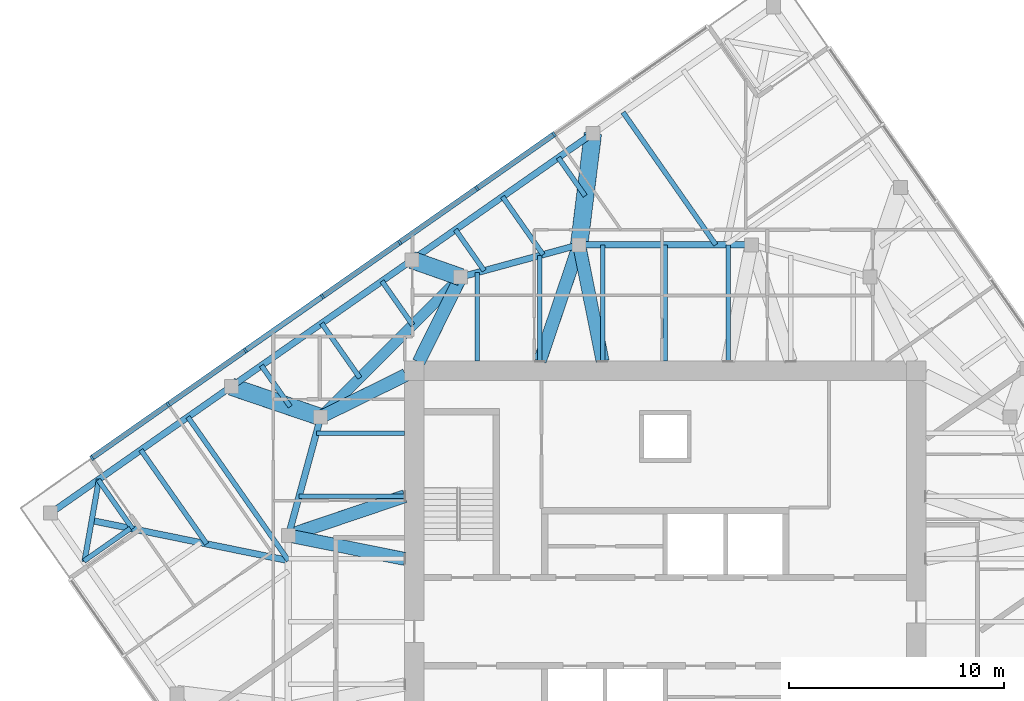
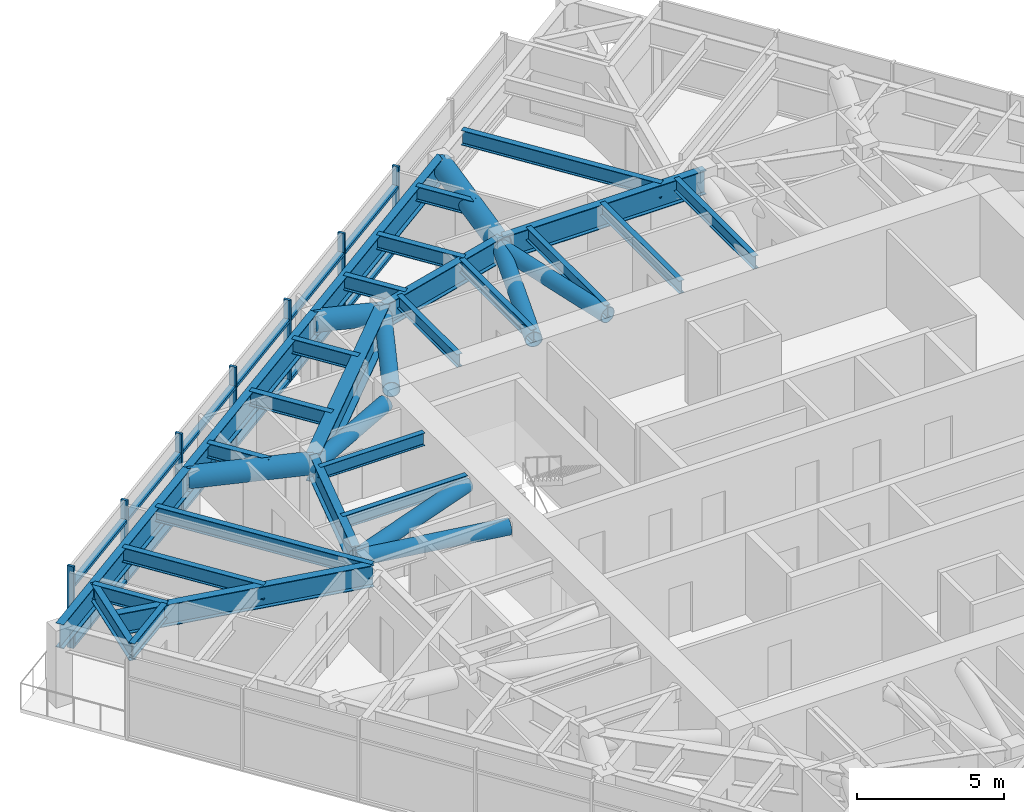
# One storey, part 5 of 15: 28 members, 27 beams, 1 element without a shape of its own.
"""IFC4 building model written with IfcOpenShell, lengths in metres."""

from ifc_helpers import new_model, si_unit, direction, frame, origin, origin_2d, place, context, subcontext, project, spatial, rectangle, hollow_circle, i_section, extrude, material, material_profile, profile_set, type_object, element, aggregate, save


model = new_model("IFC4")

# Units and contexts
model_context = context("Model", 3, precision=1e-05, world=origin(), true_north=direction((0.0, 1.0)))
body_context = subcontext(model_context, "Body", "Model", "MODEL_VIEW")
ifc_project = project(units=[si_unit("LENGTHUNIT", "METRE"), si_unit("AREAUNIT", "SQUARE_METRE"), si_unit("VOLUMEUNIT", "CUBIC_METRE"), si_unit("PLANEANGLEUNIT", "RADIAN"), si_unit("MASSUNIT", "GRAM", prefix="KILO")], contexts=[model_context])

# Site, building, storey
site_placement = place(None, origin())
site = spatial("IfcSite", under=ifc_project, at=site_placement, CompositionType="ELEMENT")
building_placement = place(site_placement, origin())
building = spatial("IfcBuilding", under=site, at=building_placement, Name="Torsade Residences", CompositionType="ELEMENT")
storey_placement = place(building_placement, frame((0.0, 0.0, 264.199951171875)))
storey = spatial("IfcBuildingStorey", under=building, at=storey_placement, Name="L73", CompositionType="ELEMENT", Elevation=264.199951171875)

# Beams
ifc_material_1 = material(Name="Steel grade 300", Category="steel")
ifc_material_profile_1 = material_profile(ifc_material_1, i_section(OverallWidth=0.300048828125, OverallDepth=0.89990234375, WebThickness=0.011962890625, FlangeThickness=0.02490234375, at=origin_2d()), Name="900WB175")
ifc_profile_set_1 = profile_set([ifc_material_profile_1], Name="Steel grade 300")
beam_type_1 = type_object("IfcBeamType", Name="CORNER GIRDER 900WB175", PredefinedType="BEAM", material=ifc_profile_set_1)
beam_1_placement = place(storey_placement, frame((13.364013671875, 34.696533203125, 2.75), z_axis=(0.979880626756, -0.199584461589, 0.0), x_axis=(0.199584461589, 0.979880626756, 0.0)))
element("IfcBeam", 1, at=beam_1_placement, inside=storey, type_object=beam_type_1, Name="Corner girder 13 L74", PredefinedType="BEAM", context=body_context, shape_type="SweptSolid", body=[
    extrude(i_section(OverallWidth=0.300048828125, OverallDepth=0.89990234375, WebThickness=0.011962890625, FlangeThickness=0.02490234375, at=origin_2d()), origin(), (0.0, 0.0, 1.0), 9.323486328125),
])
ifc_material_2 = material(Name="Steel grade 300", Category="steel")
ifc_material_profile_2 = material_profile(ifc_material_2, i_section(OverallWidth=0.25, OverallDepth=0.699951171875, WebThickness=0.010009765625, FlangeThickness=0.02001953125, at=origin_2d()), Name="700WB130")
ifc_profile_set_2 = profile_set([ifc_material_profile_2], Name="Steel grade 300")
beam_type_2 = type_object("IfcBeamType", Name="CORNER TRIMMER 700WB130", PredefinedType="BEAM", material=ifc_profile_set_2)
beam_2_placement = place(storey_placement, frame((13.0263671875, 32.78173828125, 2.85009765625), z_axis=(0.173645660267, 0.984808196894, 0.0), x_axis=(-0.984808196894, 0.173645660267, 0.0)))
element("IfcBeam", 2, at=beam_2_placement, inside=storey, type_object=beam_type_2, Name="Corner trimmer 13 L74", PredefinedType="BEAM", context=body_context, shape_type="SweptSolid", body=[
    extrude(i_section(OverallWidth=0.25, OverallDepth=0.699951171875, WebThickness=0.010009765625, FlangeThickness=0.02001953125, at=origin_2d()), origin(), (0.0, 0.0, 1.0), 3.888916015625),
])

# Curtain wall, members
ifc_material_3 = material(Name="Aluminium and glass", Category="aluminium")
curtain_wall_type = type_object("IfcCurtainWallType", Name="FRITTED GLASS CURTAIN WALL HIGH ZONE", PredefinedType="NOTDEFINED", material=ifc_material_3)
curtain_wall_placement = place(storey_placement, origin())
curtain_wall = element("IfcCurtainWall", 3, at=curtain_wall_placement, inside=storey, type_object=curtain_wall_type, Name="Curtain wall L73 face 7", PredefinedType="NOTDEFINED")
ifc_material_4 = material(Name="Aluminium mullion", Category="aluminium")
ifc_material_profile_3 = material_profile(ifc_material_4, rectangle(XDim=0.25, YDim=0.10009765625, at=origin_2d()), Name="HIGH ZONE CURTAIN WALL MULLION 250x100")
ifc_profile_set_3 = profile_set([ifc_material_profile_3], Name="Aluminium mullion")
member_type_1 = type_object("IfcMemberType", Name="HIGH ZONE CURTAIN WALL MULLION 250x100", PredefinedType="MULLION", material=ifc_profile_set_3)
member_1_placement = place(storey_placement, frame((34.835693359375, 52.630615234375, 0.0), z_axis=(0.0, 0.0, 1.0), x_axis=(0.573576457682, -0.819152029353, 0.0)))
member_1 = element("IfcMember", 4, at=member_1_placement, type_object=member_type_1, Name="Mullion 3", PredefinedType="MULLION", context=body_context, shape_type="SweptSolid", body=[
    extrude(rectangle(XDim=0.25, YDim=0.10009765625, at=origin_2d()), origin(), (0.0, 0.0, 1.0), 3.400146484375),
])
member_2_placement = place(storey_placement, frame((31.251953125, 50.12109375, 0.0), z_axis=(0.0, 0.0, 1.0), x_axis=(0.573576457682, -0.819152029353, 0.0)))
member_2 = element("IfcMember", 5, at=member_2_placement, type_object=member_type_1, Name="Mullion 4", PredefinedType="MULLION", context=body_context, shape_type="SweptSolid", body=[
    extrude(rectangle(XDim=0.25, YDim=0.10009765625, at=origin_2d()), origin(), (0.0, 0.0, 1.0), 3.400146484375),
])
member_3_placement = place(storey_placement, frame((27.668212890625, 47.61181640625, 0.0), z_axis=(0.0, 0.0, 1.0), x_axis=(0.573576457682, -0.819152029353, 0.0)))
member_3 = element("IfcMember", 6, at=member_3_placement, type_object=member_type_1, Name="Mullion 5", PredefinedType="MULLION", context=body_context, shape_type="SweptSolid", body=[
    extrude(rectangle(XDim=0.25, YDim=0.10009765625, at=origin_2d()), origin(), (0.0, 0.0, 1.0), 3.400146484375),
])
member_4_placement = place(storey_placement, frame((24.084228515625, 45.102294921875, 0.0), z_axis=(0.0, 0.0, 1.0), x_axis=(0.573576457682, -0.819152029353, 0.0)))
member_4 = element("IfcMember", 7, at=member_4_placement, type_object=member_type_1, Name="Mullion 6", PredefinedType="MULLION", context=body_context, shape_type="SweptSolid", body=[
    extrude(rectangle(XDim=0.25, YDim=0.10009765625, at=origin_2d()), origin(), (0.0, 0.0, 1.0), 3.400146484375),
])
member_5_placement = place(storey_placement, frame((20.50048828125, 42.593017578125, 0.0), z_axis=(0.0, 0.0, 1.0), x_axis=(0.573576457682, -0.819152029353, 0.0)))
member_5 = element("IfcMember", 8, at=member_5_placement, type_object=member_type_1, Name="Mullion 7", PredefinedType="MULLION", context=body_context, shape_type="SweptSolid", body=[
    extrude(rectangle(XDim=0.25, YDim=0.10009765625, at=origin_2d()), origin(), (0.0, 0.0, 1.0), 3.400146484375),
])
member_6_placement = place(storey_placement, frame((16.916748046875, 40.08349609375, 0.0), z_axis=(0.0, 0.0, 1.0), x_axis=(0.573576457682, -0.819152029353, 0.0)))
member_6 = element("IfcMember", 9, at=member_6_placement, type_object=member_type_1, Name="Mullion 8", PredefinedType="MULLION", context=body_context, shape_type="SweptSolid", body=[
    extrude(rectangle(XDim=0.25, YDim=0.10009765625, at=origin_2d()), origin(), (0.0, 0.0, 1.0), 3.400146484375),
])
member_7_placement = place(storey_placement, frame((13.3740234375, 37.602783203125, 0.0), z_axis=(0.0, 0.0, 1.0), x_axis=(0.573576457682, -0.819152029353, 0.0)))
member_7 = element("IfcMember", 10, at=member_7_placement, type_object=member_type_1, Name="Mullion 9", PredefinedType="MULLION", context=body_context, shape_type="SweptSolid", body=[
    extrude(rectangle(XDim=0.25, YDim=0.10009765625, at=origin_2d()), origin(), (0.0, 0.0, 1.0), 3.400146484375),
])
ifc_material_5 = material(Name="Aluminium transom", Category="aluminium")
ifc_material_profile_4 = material_profile(ifc_material_5, rectangle(XDim=0.25, YDim=0.1201171875, at=origin_2d()), Name="HIGH ZONE CURTAIN WALL TRANSOM 250x120")
ifc_profile_set_4 = profile_set([ifc_material_profile_4], Name="Aluminium transom")
member_type_2 = type_object("IfcMemberType", Name="HIGH ZONE CURTAIN WALL TRANSOM 250x120", PredefinedType="USERDEFINED", material=ifc_profile_set_4)
member_8_placement = place(storey_placement, frame((34.794677734375, 52.601806640625, 0.06005859375), z_axis=(-0.819154102984, -0.573573496219, 0.0), x_axis=(0.573573496219, -0.819154102984, 0.0)))
member_8 = element("IfcMember", 11, at=member_8_placement, type_object=member_type_2, Name="Transom 3.1", ObjectType="TRANSOM", PredefinedType="USERDEFINED", context=body_context, shape_type="SweptSolid", body=[
    extrude(rectangle(XDim=0.25, YDim=0.1201171875, at=origin_2d()), origin(), (0.0, 0.0, 1.0), 4.27490234375),
])
member_9_placement = place(storey_placement, frame((34.794677734375, 52.601806640625, 2.56005859375), z_axis=(-0.819154102984, -0.573573496219, 0.0), x_axis=(0.573573496219, -0.819154102984, 0.0)))
member_9 = element("IfcMember", 12, at=member_9_placement, type_object=member_type_2, Name="Transom 3.2", ObjectType="TRANSOM", PredefinedType="USERDEFINED", context=body_context, shape_type="SweptSolid", body=[
    extrude(rectangle(XDim=0.25, YDim=0.1201171875, at=origin_2d()), origin(), (0.0, 0.0, 1.0), 4.27490234375),
])
member_10_placement = place(storey_placement, frame((31.2109375, 50.092529296875, 0.06005859375), z_axis=(-0.819146058863, -0.57358498433, 0.0), x_axis=(0.57358498433, -0.819146058863, 0.0)))
member_10 = element("IfcMember", 13, at=member_10_placement, type_object=member_type_2, Name="Transom 4.1", ObjectType="TRANSOM", PredefinedType="USERDEFINED", context=body_context, shape_type="SweptSolid", body=[
    extrude(rectangle(XDim=0.25, YDim=0.1201171875, at=origin_2d()), origin(), (0.0, 0.0, 1.0), 4.275146484375),
])
member_11_placement = place(storey_placement, frame((31.2109375, 50.092529296875, 2.56005859375), z_axis=(-0.819146058863, -0.57358498433, 0.0), x_axis=(0.57358498433, -0.819146058863, 0.0)))
member_11 = element("IfcMember", 14, at=member_11_placement, type_object=member_type_2, Name="Transom 4.2", ObjectType="TRANSOM", PredefinedType="USERDEFINED", context=body_context, shape_type="SweptSolid", body=[
    extrude(rectangle(XDim=0.25, YDim=0.1201171875, at=origin_2d()), origin(), (0.0, 0.0, 1.0), 4.275146484375),
])
member_12_placement = place(storey_placement, frame((27.627197265625, 47.5830078125, 0.06005859375), z_axis=(-0.81917289067, -0.573546663483, 0.0), x_axis=(0.573546663483, -0.81917289067, 0.0)))
member_12 = element("IfcMember", 15, at=member_12_placement, type_object=member_type_2, Name="Transom 5.1", ObjectType="TRANSOM", PredefinedType="USERDEFINED", context=body_context, shape_type="SweptSolid", body=[
    extrude(rectangle(XDim=0.25, YDim=0.1201171875, at=origin_2d()), origin(), (0.0, 0.0, 1.0), 4.27490234375),
])
member_13_placement = place(storey_placement, frame((27.627197265625, 47.5830078125, 2.56005859375), z_axis=(-0.81917289067, -0.573546663483, 0.0), x_axis=(0.573546663483, -0.81917289067, 0.0)))
member_13 = element("IfcMember", 16, at=member_13_placement, type_object=member_type_2, Name="Transom 5.2", ObjectType="TRANSOM", PredefinedType="USERDEFINED", context=body_context, shape_type="SweptSolid", body=[
    extrude(rectangle(XDim=0.25, YDim=0.1201171875, at=origin_2d()), origin(), (0.0, 0.0, 1.0), 4.27490234375),
])
member_14_placement = place(storey_placement, frame((24.04345703125, 45.07373046875, 0.06005859375), z_axis=(-0.819146058863, -0.57358498433, 0.0), x_axis=(0.57358498433, -0.819146058863, 0.0)))
member_14 = element("IfcMember", 17, at=member_14_placement, type_object=member_type_2, Name="Transom 6.1", ObjectType="TRANSOM", PredefinedType="USERDEFINED", context=body_context, shape_type="SweptSolid", body=[
    extrude(rectangle(XDim=0.25, YDim=0.1201171875, at=origin_2d()), origin(), (0.0, 0.0, 1.0), 4.275146484375),
])
member_15_placement = place(storey_placement, frame((24.04345703125, 45.07373046875, 2.56005859375), z_axis=(-0.819146058863, -0.57358498433, 0.0), x_axis=(0.57358498433, -0.819146058863, 0.0)))
member_15 = element("IfcMember", 18, at=member_15_placement, type_object=member_type_2, Name="Transom 6.2", ObjectType="TRANSOM", PredefinedType="USERDEFINED", context=body_context, shape_type="SweptSolid", body=[
    extrude(rectangle(XDim=0.25, YDim=0.1201171875, at=origin_2d()), origin(), (0.0, 0.0, 1.0), 4.275146484375),
])
member_16_placement = place(storey_placement, frame((20.45947265625, 42.564208984375, 0.06005859375), z_axis=(-0.819154102984, -0.573573496219, 0.0), x_axis=(0.573573496219, -0.819154102984, 0.0)))
member_16 = element("IfcMember", 19, at=member_16_placement, type_object=member_type_2, Name="Transom 7.1", ObjectType="TRANSOM", PredefinedType="USERDEFINED", context=body_context, shape_type="SweptSolid", body=[
    extrude(rectangle(XDim=0.25, YDim=0.1201171875, at=origin_2d()), origin(), (0.0, 0.0, 1.0), 4.27490234375),
])
member_17_placement = place(storey_placement, frame((20.45947265625, 42.564208984375, 2.56005859375), z_axis=(-0.819154102984, -0.573573496219, 0.0), x_axis=(0.573573496219, -0.819154102984, 0.0)))
member_17 = element("IfcMember", 20, at=member_17_placement, type_object=member_type_2, Name="Transom 7.2", ObjectType="TRANSOM", PredefinedType="USERDEFINED", context=body_context, shape_type="SweptSolid", body=[
    extrude(rectangle(XDim=0.25, YDim=0.1201171875, at=origin_2d()), origin(), (0.0, 0.0, 1.0), 4.27490234375),
])
member_18_placement = place(storey_placement, frame((16.875732421875, 40.054931640625, 0.06005859375), z_axis=(-0.819155901234, -0.573570928023, 0.0), x_axis=(0.573570928023, -0.819155901234, 0.0)))
member_18 = element("IfcMember", 21, at=member_18_placement, type_object=member_type_2, Name="Transom 8.1", ObjectType="TRANSOM", PredefinedType="USERDEFINED", context=body_context, shape_type="SweptSolid", body=[
    extrude(rectangle(XDim=0.25, YDim=0.1201171875, at=origin_2d()), origin(), (0.0, 0.0, 1.0), 4.22509765625),
])
member_19_placement = place(storey_placement, frame((16.875732421875, 40.054931640625, 2.56005859375), z_axis=(-0.819155901234, -0.573570928023, 0.0), x_axis=(0.573570928023, -0.819155901234, 0.0)))
member_19 = element("IfcMember", 22, at=member_19_placement, type_object=member_type_2, Name="Transom 8.2", ObjectType="TRANSOM", PredefinedType="USERDEFINED", context=body_context, shape_type="SweptSolid", body=[
    extrude(rectangle(XDim=0.25, YDim=0.1201171875, at=origin_2d()), origin(), (0.0, 0.0, 1.0), 4.22509765625),
])
aggregate(curtain_wall, [member_1, member_2, member_3, member_4, member_5, member_6, member_7, member_8, member_9, member_10, member_11, member_12, member_13, member_14, member_15, member_16, member_17, member_18, member_19])

# Beams
ifc_material_6 = material(Name="Steel grade 300", Category="steel")
ifc_material_profile_5 = material_profile(ifc_material_6, i_section(OverallWidth=0.208984375, OverallDepth=0.528076171875, WebThickness=0.009521484375, FlangeThickness=0.01318359375, FilletRadius=0.013916015625, at=origin_2d()), Name="530UB82.0")
ifc_profile_set_5 = profile_set([ifc_material_profile_5], Name="Steel grade 300")
beam_type_3 = type_object("IfcBeamType", Name="INNER FLOOR BEAM 530UB82.0", PredefinedType="JOIST", material=ifc_profile_set_5)
beam_3_placement = place(storey_placement, frame((31.262451171875, 42.10009765625, 2.93603515625), z_axis=(0.0, 1.0, 0.0), x_axis=(-1.0, 0.0, 0.0)))
element("IfcBeam", 23, at=beam_3_placement, inside=storey, type_object=beam_type_3, Name="Inner floor beam IN01 L74", PredefinedType="JOIST", context=body_context, shape_type="SweptSolid", body=[
    extrude(i_section(OverallWidth=0.208984375, OverallDepth=0.528076171875, WebThickness=0.009521484375, FlangeThickness=0.01318359375, FilletRadius=0.013916015625, at=origin_2d()), origin(), (0.0, 0.0, 1.0), 4.10791015625),
])
beam_4_placement = place(storey_placement, frame((34.175048828125, 42.10009765625, 2.93603515625), z_axis=(0.0, 1.0, 0.0), x_axis=(-1.0, 0.0, 0.0)))
element("IfcBeam", 24, at=beam_4_placement, inside=storey, type_object=beam_type_3, Name="Inner floor beam IN02 L74", PredefinedType="JOIST", context=body_context, shape_type="SweptSolid", body=[
    extrude(i_section(OverallWidth=0.208984375, OverallDepth=0.528076171875, WebThickness=0.009521484375, FlangeThickness=0.01318359375, FilletRadius=0.013916015625, at=origin_2d()), origin(), (0.0, 0.0, 1.0), 4.902099609375),
])
for number, where, z_axis, x_axis, name in (
    (25, (37.08740234375, 42.10009765625, 2.93603515625), (0.0, 1.0, 0.0), (-1.0, 0.0, 0.0), "Inner floor beam IN03 L74"),
    (26, (40.0, 42.10009765625, 2.93603515625), (0.0, 1.0, 0.0), (-1.0, 0.0, 0.0), "Inner floor beam IN04 L74"),
    (27, (42.91259765625, 42.10009765625, 2.93603515625), (0.0, 1.0, 0.0), (-1.0, 0.0, 0.0), "Inner floor beam IN05 L74"),
):
    element("IfcBeam", number, at=place(storey_placement, frame(where, z_axis=z_axis, x_axis=x_axis)), inside=storey, type_object=beam_type_3, Name=name, PredefinedType="JOIST", context=body_context, shape_type="SweptSolid", body=[
        extrude(i_section(OverallWidth=0.208984375, OverallDepth=0.528076171875, WebThickness=0.009521484375, FlangeThickness=0.01318359375, FilletRadius=0.013916015625, at=origin_2d()), origin(), (0.0, 0.0, 1.0), 5.39990234375),
    ])
beam_5_placement = place(storey_placement, frame((27.89990234375, 38.737548828125, 2.93603515625), z_axis=(-1.0, 0.0, 0.0), x_axis=(0.0, -1.0, 0.0)))
element("IfcBeam", 28, at=beam_5_placement, inside=storey, type_object=beam_type_3, Name="Inner floor beam IW01 L74", PredefinedType="JOIST", context=body_context, shape_type="SweptSolid", body=[
    extrude(i_section(OverallWidth=0.208984375, OverallDepth=0.528076171875, WebThickness=0.009521484375, FlangeThickness=0.01318359375, FilletRadius=0.013916015625, at=origin_2d()), origin(), (0.0, 0.0, 1.0), 4.10791015625),
])
beam_6_placement = place(storey_placement, frame((27.89990234375, 35.824951171875, 2.93603515625), z_axis=(-1.0, 0.0, 0.0), x_axis=(0.0, -1.0, 0.0)))
element("IfcBeam", 29, at=beam_6_placement, inside=storey, type_object=beam_type_3, Name="Inner floor beam IW02 L74", PredefinedType="JOIST", context=body_context, shape_type="SweptSolid", body=[
    extrude(i_section(OverallWidth=0.208984375, OverallDepth=0.528076171875, WebThickness=0.009521484375, FlangeThickness=0.01318359375, FilletRadius=0.013916015625, at=origin_2d()), origin(), (0.0, 0.0, 1.0), 4.902099609375),
])
ifc_material_7 = material(Name="Steel grade 300", Category="steel")
ifc_material_profile_6 = material_profile(ifc_material_7, i_section(OverallWidth=0.5, OverallDepth=1.199951171875, WebThickness=0.01611328125, FlangeThickness=0.0400390625, at=origin_2d()), Name="1200WB455")
ifc_profile_set_6 = profile_set([ifc_material_profile_6], Name="Steel grade 300")
beam_type_4 = type_object("IfcBeamType", Name="RING CORNER GIRDER 1200WB455", PredefinedType="BEAM", material=ifc_profile_set_6)
beam_7_placement = place(storey_placement, frame((30.5, 46.0, 2.60009765625), z_axis=(-0.707106781187, -0.707106781187, 0.0), x_axis=(0.707106781187, -0.707106781187, 0.0)))
element("IfcBeam", 30, at=beam_7_placement, inside=storey, type_object=beam_type_4, Name="Ring girder IR07 L74", PredefinedType="BEAM", context=body_context, shape_type="SweptSolid", body=[
    extrude(i_section(OverallWidth=0.5, OverallDepth=1.199951171875, WebThickness=0.01611328125, FlangeThickness=0.0400390625, at=origin_2d()), origin(), (0.0, 0.0, 1.0), 9.1923828125),
])
ifc_material_8 = material(Name="Steel grade 300", Category="steel")
ifc_material_profile_7 = material_profile(ifc_material_8, i_section(OverallWidth=0.300048828125, OverallDepth=1.0, WebThickness=0.01611328125, FlangeThickness=0.028076171875, at=origin_2d()), Name="1000WB215")
ifc_profile_set_7 = profile_set([ifc_material_profile_7], Name="Steel grade 300")
beam_type_5 = type_object("IfcBeamType", Name="RING GIRDER 1000WB215", PredefinedType="BEAM", material=ifc_profile_set_7)
beam_8_placement = place(storey_placement, frame((44.0, 47.5, 2.699951171875), z_axis=(-1.0, 0.0, 0.0), x_axis=(0.0, -1.0, 0.0)))
element("IfcBeam", 31, at=beam_8_placement, inside=storey, type_object=beam_type_5, Name="Ring girder IR05 L74", PredefinedType="BEAM", context=body_context, shape_type="SweptSolid", body=[
    extrude(i_section(OverallWidth=0.300048828125, OverallDepth=1.0, WebThickness=0.01611328125, FlangeThickness=0.028076171875, at=origin_2d()), origin(), (0.0, 0.0, 1.0), 8.0),
])
for number, where, z_axis, x_axis, name in (
    (32, (36.0, 47.5, 2.699951171875), (-0.964763821238, -0.263117405792, 0.0), (0.263117405792, -0.964763821238, 0.0), "Ring girder IR06 L74"),
    (33, (24.0, 39.5, 2.699951171875), (-0.263117405792, -0.964763821238, 0.0), (0.964763821238, -0.263117405792, 0.0), "Ring girder IR08 L74"),
):
    element("IfcBeam", number, at=place(storey_placement, frame(where, z_axis=z_axis, x_axis=x_axis)), inside=storey, type_object=beam_type_5, Name=name, PredefinedType="BEAM", context=body_context, shape_type="SweptSolid", body=[
        extrude(i_section(OverallWidth=0.300048828125, OverallDepth=1.0, WebThickness=0.01611328125, FlangeThickness=0.028076171875, at=origin_2d()), origin(), (0.0, 0.0, 1.0), 5.700927734375),
    ])
ifc_material_9 = material(Name="Steel grade 300", Category="steel")
ifc_material_profile_8 = material_profile(ifc_material_9, i_section(OverallWidth=0.22900390625, OverallDepth=0.612060546875, WebThickness=0.011962890625, FlangeThickness=0.01953125, FilletRadius=0.013916015625, at=origin_2d()), Name="610UB125")
ifc_profile_set_8 = profile_set([ifc_material_profile_8], Name="Steel grade 300")
beam_type_6 = type_object("IfcBeamType", Name="SECONDARY BEAM 610UB125", PredefinedType="JOIST", material=ifc_profile_set_8)
beam_9_placement = place(storey_placement, frame((38.037353515625, 53.651611328125, 2.89404296875), z_axis=(0.573573614851, -0.819154019917, 0.0), x_axis=(0.819154019917, 0.573573614851, 0.0)))
element("IfcBeam", 34, at=beam_9_placement, inside=storey, type_object=beam_type_6, Name="Floor beam FN03 L74", PredefinedType="JOIST", context=body_context, shape_type="SweptSolid", body=[
    extrude(i_section(OverallWidth=0.22900390625, OverallDepth=0.612060546875, WebThickness=0.011962890625, FlangeThickness=0.01953125, FilletRadius=0.013916015625, at=origin_2d()), origin(), (0.0, 0.0, 1.0), 7.509765625),
])
beam_10_placement = place(storey_placement, frame((35.033935546875, 51.548583984375, 2.89404296875), z_axis=(0.573515142828, -0.819194959058, 0.0), x_axis=(0.819194959058, 0.573515142828, 0.0)))
element("IfcBeam", 35, at=beam_10_placement, inside=storey, type_object=beam_type_6, Name="Floor beam FN04 L74", PredefinedType="JOIST", context=body_context, shape_type="SweptSolid", body=[
    extrude(i_section(OverallWidth=0.22900390625, OverallDepth=0.612060546875, WebThickness=0.011962890625, FlangeThickness=0.01953125, FilletRadius=0.013916015625, at=origin_2d()), origin(), (0.0, 0.0, 1.0), 2.17236328125),
])
beam_11_placement = place(storey_placement, frame((32.43994140625, 49.732177734375, 2.89404296875), z_axis=(0.573552173902, -0.819169032504, 0.0), x_axis=(0.819169032504, 0.573552173902, 0.0)))
element("IfcBeam", 36, at=beam_11_placement, inside=storey, type_object=beam_type_6, Name="Floor beam FN05 L74", PredefinedType="JOIST", context=body_context, shape_type="SweptSolid", body=[
    extrude(i_section(OverallWidth=0.22900390625, OverallDepth=0.612060546875, WebThickness=0.011962890625, FlangeThickness=0.01953125, FilletRadius=0.013916015625, at=origin_2d()), origin(), (0.0, 0.0, 1.0), 3.283203125),
])
beam_12_placement = place(storey_placement, frame((30.25537109375, 48.20263671875, 2.89404296875), z_axis=(0.573567996949, -0.819157953557, 0.0), x_axis=(0.819157953557, 0.573567996949, 0.0)))
element("IfcBeam", 37, at=beam_12_placement, inside=storey, type_object=beam_type_6, Name="Floor beam FN06 L74", PredefinedType="JOIST", context=body_context, shape_type="SweptSolid", body=[
    extrude(i_section(OverallWidth=0.22900390625, OverallDepth=0.612060546875, WebThickness=0.011962890625, FlangeThickness=0.01953125, FilletRadius=0.013916015625, at=origin_2d()), origin(), (0.0, 0.0, 1.0), 2.326171875),
])
beam_13_placement = place(storey_placement, frame((26.84228515625, 45.812744140625, 2.89404296875), z_axis=(0.573547823109, -0.819172078752, 0.0), x_axis=(0.819172078752, 0.573547823109, 0.0)))
element("IfcBeam", 38, at=beam_13_placement, inside=storey, type_object=beam_type_6, Name="Floor beam FN07 L74", PredefinedType="JOIST", context=body_context, shape_type="SweptSolid", body=[
    extrude(i_section(OverallWidth=0.22900390625, OverallDepth=0.612060546875, WebThickness=0.011962890625, FlangeThickness=0.01953125, FilletRadius=0.013916015625, at=origin_2d()), origin(), (0.0, 0.0, 1.0), 2.491943359375),
])
beam_14_placement = place(storey_placement, frame((24.04345703125, 43.85302734375, 2.89404296875), z_axis=(0.573600013401, -0.819135534955, 0.0), x_axis=(0.819135534955, 0.573600013401, 0.0)))
element("IfcBeam", 39, at=beam_14_placement, inside=storey, type_object=beam_type_6, Name="Floor beam FN08 L74", PredefinedType="JOIST", context=body_context, shape_type="SweptSolid", body=[
    extrude(i_section(OverallWidth=0.22900390625, OverallDepth=0.612060546875, WebThickness=0.011962890625, FlangeThickness=0.01953125, FilletRadius=0.013916015625, at=origin_2d()), origin(), (0.0, 0.0, 1.0), 3.09423828125),
])
beam_15_placement = place(storey_placement, frame((21.244873046875, 41.893310546875, 2.89404296875), z_axis=(0.573560664637, -0.819163087535, 0.0), x_axis=(0.819163087535, 0.573560664637, 0.0)))
element("IfcBeam", 40, at=beam_15_placement, inside=storey, type_object=beam_type_6, Name="Floor beam FN09 L74", PredefinedType="JOIST", context=body_context, shape_type="SweptSolid", body=[
    extrude(i_section(OverallWidth=0.22900390625, OverallDepth=0.612060546875, WebThickness=0.011962890625, FlangeThickness=0.01953125, FilletRadius=0.013916015625, at=origin_2d()), origin(), (0.0, 0.0, 1.0), 2.3330078125),
])
beam_16_placement = place(storey_placement, frame((17.83154296875, 39.50341796875, 2.89404296875), z_axis=(0.573577087251, -0.819151588523, 0.0), x_axis=(0.819151588523, 0.573577087251, 0.0)))
element("IfcBeam", 41, at=beam_16_placement, inside=storey, type_object=beam_type_6, Name="Floor beam FN10 L74", PredefinedType="JOIST", context=body_context, shape_type="SweptSolid", body=[
    extrude(i_section(OverallWidth=0.22900390625, OverallDepth=0.612060546875, WebThickness=0.011962890625, FlangeThickness=0.01953125, FilletRadius=0.013916015625, at=origin_2d()), origin(), (0.0, 0.0, 1.0), 8.13916015625),
])
beam_17_placement = place(storey_placement, frame((15.647216796875, 37.973876953125, 2.89404296875), z_axis=(0.573597638513, -0.819137197966, 0.0), x_axis=(0.819137197966, 0.573597638513, 0.0)))
element("IfcBeam", 42, at=beam_17_placement, inside=storey, type_object=beam_type_6, Name="Floor beam FN11 L74", PredefinedType="JOIST", context=body_context, shape_type="SweptSolid", body=[
    extrude(i_section(OverallWidth=0.22900390625, OverallDepth=0.612060546875, WebThickness=0.011962890625, FlangeThickness=0.01953125, FilletRadius=0.013916015625, at=origin_2d()), origin(), (0.0, 0.0, 1.0), 5.328369140625),
])
beam_18_placement = place(storey_placement, frame((13.667724609375, 36.587646484375, 2.89404296875), z_axis=(0.573521270253, -0.819190669238, 0.0), x_axis=(0.819190669238, 0.573521270253, 0.0)))
element("IfcBeam", 43, at=beam_18_placement, inside=storey, type_object=beam_type_6, Name="Floor beam FN12 L74", PredefinedType="JOIST", context=body_context, shape_type="SweptSolid", body=[
    extrude(i_section(OverallWidth=0.22900390625, OverallDepth=0.612060546875, WebThickness=0.011962890625, FlangeThickness=0.01953125, FilletRadius=0.013916015625, at=origin_2d()), origin(), (0.0, 0.0, 1.0), 2.780517578125),
])
beam_19_placement = place(storey_placement, frame((13.00244140625, 32.815673828125, 2.89404296875), z_axis=(0.819140666445, 0.573592685254, 0.0), x_axis=(-0.573592685254, 0.819140666445, 0.0)))
element("IfcBeam", 44, at=beam_19_placement, inside=storey, type_object=beam_type_6, Name="Floor beam FW01 L74", PredefinedType="JOIST", context=body_context, shape_type="SweptSolid", body=[
    extrude(i_section(OverallWidth=0.22900390625, OverallDepth=0.612060546875, WebThickness=0.011962890625, FlangeThickness=0.01953125, FilletRadius=0.013916015625, at=origin_2d()), origin(), (0.0, 0.0, 1.0), 2.639892578125),
])

# Members
ifc_material_10 = material(Name="Steel grade 450", Category="steel")
ifc_material_profile_9 = material_profile(ifc_material_10, hollow_circle(Radius=0.304931640625, WallThickness=0.01611328125, at=origin_2d()), Name="610.0x16.0CHS")
ifc_profile_set_9 = profile_set([ifc_material_profile_9], Name="Steel grade 450")
member_type_3 = type_object("IfcMemberType", Name="TRANSFER FLOOR BRACE 610.0x16.0CHS", PredefinedType="BRACE", material=ifc_profile_set_9)
member_20_placement = place(storey_placement, frame((36.0, 47.5, 2.699951171875), z_axis=(0.197387381211, -0.980200740375, 0.015643858457), x_axis=(0.980320704809, 0.197411538983, 0.0)))
element("IfcMember", 45, at=member_20_placement, inside=storey, type_object=member_type_3, Name="Transfer floor brace TT8 bottom IR06IN03", PredefinedType="BRACE", context=body_context, shape_type="SweptSolid", body=[
    extrude(hollow_circle(Radius=0.304931640625, WallThickness=0.01611328125, at=origin_2d()), origin(), (0.0, 0.0, 1.0), 5.509033203125),
])
member_21_placement = place(storey_placement, frame((36.0, 47.5, 2.699951171875), z_axis=(-0.320133277384, -0.947251883503, 0.015117999588), x_axis=(0.947360151124, -0.320169867513, 0.0)))
element("IfcMember", 46, at=member_21_placement, inside=storey, type_object=member_type_3, Name="Transfer floor brace TT8 bottom IR06IN02", PredefinedType="BRACE", context=body_context, shape_type="SweptSolid", body=[
    extrude(hollow_circle(Radius=0.304931640625, WallThickness=0.01611328125, at=origin_2d()), origin(), (0.0, 0.0, 1.0), 5.70068359375),
])
for number, where, z_axis, x_axis, name in (
    (47, (30.5, 46.0, 2.699951171875), (-0.443105036702, -0.896469701914, 0.0), (0.896469701914, -0.443105036702, 0.0), "Transfer floor brace TT8 bottom IR07C"),
    (48, (24.0, 39.5, 2.699951171875), (0.896469701914, 0.443105036702, 0.0), (-0.443105036702, 0.896469701914, 0.0), "Transfer floor brace TT8 bottom IR08C"),
):
    element("IfcMember", number, at=place(storey_placement, frame(where, z_axis=z_axis, x_axis=x_axis)), inside=storey, type_object=member_type_3, Name=name, PredefinedType="BRACE", context=body_context, shape_type="SweptSolid", body=[
        extrude(hollow_circle(Radius=0.304931640625, WallThickness=0.01611328125, at=origin_2d()), origin(), (0.0, 0.0, 1.0), 4.40234375),
    ])
member_22_placement = place(storey_placement, frame((22.5, 34.0, 2.699951171875), z_axis=(0.980200740375, -0.197387381211, 0.015643858457), x_axis=(0.197411538983, 0.980320704809, 0.0)))
element("IfcMember", 49, at=member_22_placement, inside=storey, type_object=member_type_3, Name="Transfer floor brace TT8 bottom IR09IW03", PredefinedType="BRACE", context=body_context, shape_type="SweptSolid", body=[
    extrude(hollow_circle(Radius=0.304931640625, WallThickness=0.01611328125, at=origin_2d()), origin(), (0.0, 0.0, 1.0), 5.509033203125),
])
member_23_placement = place(storey_placement, frame((22.5, 34.0, 2.699951171875), z_axis=(0.947251883503, 0.320133277384, 0.015117999588), x_axis=(-0.320169867513, 0.947360151124, 0.0)))
element("IfcMember", 50, at=member_23_placement, inside=storey, type_object=member_type_3, Name="Transfer floor brace TT8 bottom IR09IW02", PredefinedType="BRACE", context=body_context, shape_type="SweptSolid", body=[
    extrude(hollow_circle(Radius=0.304931640625, WallThickness=0.01611328125, at=origin_2d()), origin(), (0.0, 0.0, 1.0), 5.70068359375),
])
ifc_material_11 = material(Name="Steel grade 450", Category="steel")
ifc_material_profile_10 = material_profile(ifc_material_11, hollow_circle(Radius=0.406494140625, WallThickness=0.02490234375, at=origin_2d()), Name="813.0x25.0CHS")
ifc_profile_set_10 = profile_set([ifc_material_profile_10], Name="Steel grade 450")
member_type_4 = type_object("IfcMemberType", Name="TRANSFER FLOOR STRUT 813.0x25.0CHS", PredefinedType="STRUT", material=ifc_profile_set_10)
member_24_placement = place(storey_placement, frame((36.637939453125, 52.671875, 2.798583984375), z_axis=(-0.122420034342, -0.992478380214, 0.0), x_axis=(0.992478380214, -0.122420034342, 0.0)))
element("IfcMember", 51, at=member_24_placement, inside=storey, type_object=member_type_4, Name="Transfer floor strut TT8 bottom 10IR06", PredefinedType="STRUT", context=body_context, shape_type="SweptSolid", body=[
    extrude(hollow_circle(Radius=0.406494140625, WallThickness=0.02490234375, at=origin_2d()), origin(), (0.0, 0.0, 1.0), 5.211181640625),
])
member_25_placement = place(storey_placement, frame((28.24169921875, 46.792724609375, 2.798583984375), z_axis=(0.943555805599, -0.331213589274, 0.0), x_axis=(0.331213589274, 0.943555805599, 0.0)))
element("IfcMember", 52, at=member_25_placement, inside=storey, type_object=member_type_4, Name="Transfer floor strut TT8 bottom 11IR07", PredefinedType="STRUT", context=body_context, shape_type="SweptSolid", body=[
    extrude(hollow_circle(Radius=0.406494140625, WallThickness=0.02490234375, at=origin_2d()), origin(), (0.0, 0.0, 1.0), 2.393310546875),
])
member_26_placement = place(storey_placement, frame((19.845458984375, 40.91357421875, 2.798583984375), z_axis=(0.946701170915, -0.322113167985, 0.0), x_axis=(0.322113167985, 0.946701170915, 0.0)))
element("IfcMember", 53, at=member_26_placement, inside=storey, type_object=member_type_4, Name="Transfer floor strut TT8 bottom 12IR08", PredefinedType="STRUT", context=body_context, shape_type="SweptSolid", body=[
    extrude(hollow_circle(Radius=0.406494140625, WallThickness=0.02490234375, at=origin_2d()), origin(), (0.0, 0.0, 1.0), 4.388427734375),
])

# Beams
ifc_material_12 = material(Name="Steel grade 300", Category="steel")
ifc_material_profile_11 = material_profile(ifc_material_12, i_section(OverallWidth=0.300048828125, OverallDepth=1.0, WebThickness=0.01611328125, FlangeThickness=0.028076171875, at=origin_2d()), Name="1000WB215")
ifc_profile_set_11 = profile_set([ifc_material_profile_11], Name="Steel grade 300")
beam_type_7 = type_object("IfcBeamType", Name="TRANSFER TRUSS CHORD 1000WB215", PredefinedType="USERDEFINED", material=ifc_profile_set_11)
for number, where, z_axis, x_axis, name in (
    (54, (36.637939453125, 52.671875, 2.699951171875), (-0.819150225126, -0.573579034377, 0.0), (0.573579034377, -0.819150225126, 0.0), "Transfer truss TT8 bottom chord 10"),
    (55, (28.24169921875, 46.792724609375, 2.699951171875), (-0.819150225126, -0.573579034377, 0.0), (0.573579034377, -0.819150225126, 0.0), "Transfer truss TT8 bottom chord 11"),
):
    element("IfcBeam", number, at=place(storey_placement, frame(where, z_axis=z_axis, x_axis=x_axis)), inside=storey, type_object=beam_type_7, Name=name, ObjectType="TRANSFER TRUSS CHORD", PredefinedType="USERDEFINED", context=body_context, shape_type="SweptSolid", body=[
        extrude(i_section(OverallWidth=0.300048828125, OverallDepth=1.0, WebThickness=0.01611328125, FlangeThickness=0.028076171875, at=origin_2d()), origin(), (0.0, 0.0, 1.0), 10.25),
    ])
beam_20_placement = place(storey_placement, frame((19.845458984375, 40.91357421875, 2.699951171875), z_axis=(-0.819146870247, -0.573583825578, 0.0), x_axis=(0.573583825578, -0.819146870247, 0.0)))
element("IfcBeam", 56, at=beam_20_placement, inside=storey, type_object=beam_type_7, Name="Transfer truss TT8 bottom chord 12", ObjectType="TRANSFER TRUSS CHORD", PredefinedType="USERDEFINED", context=body_context, shape_type="SweptSolid", body=[
    extrude(i_section(OverallWidth=0.300048828125, OverallDepth=1.0, WebThickness=0.01611328125, FlangeThickness=0.028076171875, at=origin_2d()), origin(), (0.0, 0.0, 1.0), 10.250244140625),
])

save(model, "model.ifc")
